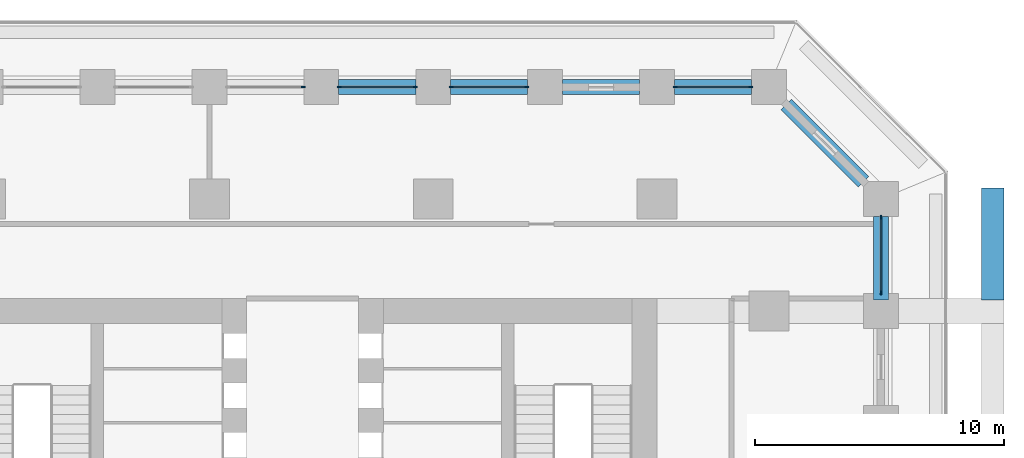
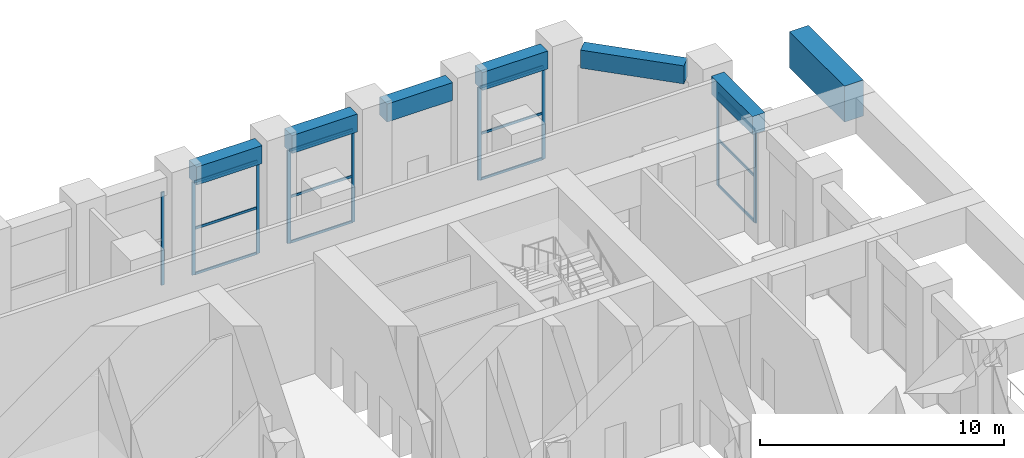
# One storey, part 9 of 21: 21 members, 7 beams, 5 elements without a shape of their own.
"""IFC4 building model written with IfcOpenShell, lengths in metres."""

import ifcopenshell
import ifcopenshell.guid

model = None  # the IFC model being written
_history = None  # IfcOwnerHistory: only IFC2X3 demands one
_inside = {}  # id of a spatial element -> (the spatial element, [elements in it])
_under = {}  # id of a project, library or spatial element -> (it, [spatial elements below it])
_declared = {}  # id of a project -> (the project, [libraries it declares])
_typed = {}  # id of a type object -> (the type object, [elements of that type])
_made_of = {}  # id of a material, layer set ... -> (it, [elements and type objects made of it])


def new_model(schema):
    """Start an empty IFC model of exactly this schema.

    Asked for "IFC4X3", IfcOpenShell would pick the latest addendum, in which some entities
    have other attributes; the version numbers below select the first issue.
    IFC2X3 requires an IfcOwnerHistory on every rooted entity: one is made here for all.
    """
    global model, _history
    if schema == "IFC4X3":
        model = ifcopenshell.file(schema_version=(4, 3, 0, 0))
    else:
        model = ifcopenshell.file(schema=schema)
    _inside.clear()
    _under.clear()
    _declared.clear()
    _typed.clear()
    _made_of.clear()
    _history = None
    if model.schema == "IFC2X3":
        org = make("IfcOrganization", Name="unknown")
        user = make(
            "IfcPersonAndOrganization",
            ThePerson=make("IfcPerson", FamilyName="unknown"),
            TheOrganization=org,
        )
        app = make(
            "IfcApplication",
            ApplicationDeveloper=org,
            Version="unknown",
            ApplicationFullName="unknown",
            ApplicationIdentifier="unknown",
        )
        _history = make(
            "IfcOwnerHistory",
            OwningUser=user,
            OwningApplication=app,
            ChangeAction="ADDED",
            CreationDate=0,
        )
    return model


def make(cls, **values):
    """One entity of the class cls with the attributes given. An attribute that is None is left unset."""
    return model.create_entity(
        cls, **{name: value for name, value in values.items() if value is not None}
    )


def rooted(cls, **values):
    """An entity with a GlobalId (a new one), such as an element, a storey or a relation."""
    return make(cls, GlobalId=ifcopenshell.guid.new(), OwnerHistory=_history, **values)


def si_unit(unit_type, name, prefix=None):
    """IfcSIUnit, for example si_unit("LENGTHUNIT", "METRE", prefix="MILLI")."""
    return make("IfcSIUnit", UnitType=unit_type, Prefix=prefix, Name=name)


def assignment(units):
    """IfcUnitAssignment: the units of a project."""
    return None if units is None else make("IfcUnitAssignment", Units=units)


def point(xyz):
    """IfcCartesianPoint."""
    return None if xyz is None else make("IfcCartesianPoint", Coordinates=xyz)


def direction(xyz):
    """IfcDirection."""
    return None if xyz is None else make("IfcDirection", DirectionRatios=xyz)


def frame(location, z_axis=None, x_axis=None):
    """IfcAxis2Placement3D, a coordinate frame: its origin and axes. An axis left out is left unset."""
    return make(
        "IfcAxis2Placement3D",
        Location=point(location),
        Axis=direction(z_axis),
        RefDirection=direction(x_axis),
    )


def frame_2d(location, x_axis=None):
    """IfcAxis2Placement2D, a coordinate frame in the plane: its origin and x axis."""
    return make(
        "IfcAxis2Placement2D", Location=point(location), RefDirection=direction(x_axis)
    )


def origin():
    """The frame at (0, 0, 0) with its axes left unset."""
    return frame((0.0, 0.0, 0.0))


def origin_2d():
    """The frame at (0, 0) in the plane with its x axis left unset."""
    return frame_2d((0.0, 0.0))


def place(relative_to, where):
    """IfcLocalPlacement: puts the frame where relative to a parent placement (None: the world)."""
    return make(
        "IfcLocalPlacement", PlacementRelTo=relative_to, RelativePlacement=where
    )


def context(
    kind, dimensions, precision=None, world=None, true_north=None, identifier=None
):
    """IfcGeometricRepresentationContext, for example the 3D "Model" context."""
    return make(
        "IfcGeometricRepresentationContext",
        ContextIdentifier=identifier,
        ContextType=kind,
        CoordinateSpaceDimension=dimensions,
        Precision=precision,
        WorldCoordinateSystem=world,
        TrueNorth=true_north,
    )


def subcontext(parent, identifier, kind, view, scale=None):
    """IfcGeometricRepresentationSubContext, for example "Body" below "Model"."""
    return make(
        "IfcGeometricRepresentationSubContext",
        ContextIdentifier=identifier,
        ContextType=kind,
        ParentContext=parent,
        TargetScale=scale,
        TargetView=view,
    )


def project(units=None, contexts=None):
    """IfcProject with its units and contexts."""
    return rooted(
        "IfcProject",
        Name="project",
        RepresentationContexts=contexts,
        UnitsInContext=assignment(units),
    )


def spatial(cls, under=None, at=None, **own):
    """A site, building, storey or space (cls), placed at a placement, below another one or the project."""
    s = rooted(cls, ObjectPlacement=at, **own)
    if under is not None:
        _under.setdefault(under.id(), (under, []))[1].append(s)
    return s


def profile(cls, at=None, kind="AREA", **sizes):
    """A parametric profile (cls). Its sizes go by their IFC names, for example OverallWidth=200.0."""
    return make(cls, ProfileType=kind, Position=at, **sizes)


def rectangle(**sizes):
    """IfcRectangleProfileDef."""
    return profile("IfcRectangleProfileDef", **sizes)


def extrude(swept, where, along, depth):
    """IfcExtrudedAreaSolid: the profile swept, set in the frame where, extruded along a direction by depth."""
    return make(
        "IfcExtrudedAreaSolid",
        SweptArea=swept,
        Position=where,
        ExtrudedDirection=direction(along),
        Depth=depth,
    )


def shape(context_of_items, identifier, shape_type, items):
    """IfcShapeRepresentation: the items that make up one representation, for example the "Body"."""
    return make(
        "IfcShapeRepresentation",
        ContextOfItems=context_of_items,
        RepresentationIdentifier=identifier,
        RepresentationType=shape_type,
        Items=items,
    )


def material(Name=None, Category=None):
    """IfcMaterial."""
    return make("IfcMaterial", Name=Name, Category=Category)


def material_profile(
    of_material, cross_section, Name=None, Category=None, Priority=None
):
    """IfcMaterialProfile: a cross section and its material."""
    return make(
        "IfcMaterialProfile",
        Name=Name,
        Material=of_material,
        Profile=cross_section,
        Priority=Priority,
        Category=Category,
    )


def profile_set(profiles, Name=None, composite=None):
    """IfcMaterialProfileSet."""
    return make(
        "IfcMaterialProfileSet",
        Name=Name,
        MaterialProfiles=profiles,
        CompositeProfile=composite,
    )


def made_of(thing, what):
    """Note that an element or type object is made of a material, layer set ...; save() writes the relation."""
    if what is not None:
        _made_of.setdefault(what.id(), (what, []))[1].append(thing)
    return thing


def type_object(cls, material=None, **own):
    """A type object (cls), such as IfcWallType, which elements share."""
    return made_of(rooted(cls, **own), material)


def element(
    cls,
    number,
    at=None,
    inside=None,
    cuts=None,
    type_object=None,
    material=None,
    context=None,
    identifier="Body",
    shape_type=None,
    held_by="IfcProductDefinitionShape",
    body=None,
    shapes=None,
    **own,
):
    """One element of the class cls, such as IfcWall. Its Tag is "e" and its number.

    at: its placement. inside: the storey or other place that contains it. cuts: it is an
    opening in that element (IfcRelVoidsElement). A single representation is given by context,
    identifier, shape_type and body (its items); several are given by shapes. held_by: the class
    of the entity that holds the representations. save() writes the other relations.
    """
    e = rooted(cls, Tag="e%d" % number, ObjectPlacement=at, **own)
    if body is not None:
        shapes = [shape(context, identifier, shape_type, body)]
    if shapes is not None:
        e.Representation = make(held_by, Representations=shapes)
    if inside is not None:
        _inside.setdefault(inside.id(), (inside, []))[1].append(e)
    if cuts is not None:
        rooted(
            "IfcRelVoidsElement", RelatingBuildingElement=cuts, RelatedOpeningElement=e
        )
    if type_object is not None:
        _typed.setdefault(type_object.id(), (type_object, []))[1].append(e)
    return made_of(e, material)


def aggregate(whole, parts):
    """IfcRelAggregates: a whole, such as a stair, and the parts it consists of."""
    return rooted("IfcRelAggregates", RelatingObject=whole, RelatedObjects=parts)


def save(model, path):
    """Write the relations noted so far, then the file.

    IfcRelAggregates (storeys below a building ...), IfcRelContainedInSpatialStructure (elements
    in a storey), IfcRelDefinesByType, IfcRelAssociatesMaterial and IfcRelDeclares: one each for
    every whole, place, type object, material and project.
    """
    for whole, parts in _under.values():
        aggregate(whole, parts)
    for where, things in _inside.values():
        rooted(
            "IfcRelContainedInSpatialStructure",
            RelatedElements=things,
            RelatingStructure=where,
        )
    for kind, things in _typed.values():
        rooted("IfcRelDefinesByType", RelatedObjects=things, RelatingType=kind)
    for what, things in _made_of.values():
        rooted("IfcRelAssociatesMaterial", RelatedObjects=things, RelatingMaterial=what)
    for by, libraries in _declared.values():
        rooted("IfcRelDeclares", RelatingContext=by, RelatedDefinitions=libraries)
    model.write(path)


model = new_model("IFC4")

# Units and contexts
model_context = context("Model", 3, precision=1e-05, world=origin(), true_north=direction((0.0, 1.0)))
body_context = subcontext(model_context, "Body", "Model", "MODEL_VIEW")
ifc_project = project(units=[si_unit("LENGTHUNIT", "METRE"), si_unit("AREAUNIT", "SQUARE_METRE"), si_unit("VOLUMEUNIT", "CUBIC_METRE"), si_unit("PLANEANGLEUNIT", "RADIAN"), si_unit("MASSUNIT", "GRAM", prefix="KILO")], contexts=[model_context])

# Site, building, storey
site_placement = place(None, origin())
site = spatial("IfcSite", under=ifc_project, at=site_placement, CompositionType="ELEMENT")
building_placement = place(site_placement, origin())
building = spatial("IfcBuilding", under=site, at=building_placement, Name="Corbel Stack Research Tower", CompositionType="ELEMENT")
storey_placement = place(building_placement, frame((0.0, 0.0, 35.89990234375)))
storey = spatial("IfcBuildingStorey", under=building, at=storey_placement, Name="L08", CompositionType="ELEMENT", Elevation=35.89990234375)

# Curtain wall, members
ifc_material_1 = material(Name="Aluminium frame, clear glass", Category="aluminium")
curtain_wall_type = type_object("IfcCurtainWallType", Name="Amenity floor curtain wall CW2", PredefinedType="NOTDEFINED", material=ifc_material_1)
curtain_wall_1_placement = place(storey_placement, origin())
curtain_wall_1 = element("IfcCurtainWall", 1, at=curtain_wall_1_placement, inside=storey, type_object=curtain_wall_type, Name="Curtain wall CW2 L08 E10", PredefinedType="NOTDEFINED")
ifc_material_2 = material(Name="Aluminium mullion", Category="aluminium")
ifc_material_profile_1 = material_profile(ifc_material_2, rectangle(XDim=0.06005859375, YDim=0.159912109375, at=origin_2d()), Name="Mullion 60 x 160")
ifc_profile_set_1 = profile_set([ifc_material_profile_1], Name="Aluminium mullion")
member_type_1 = type_object("IfcMemberType", Name="Curtain wall mullion 60 x 160", PredefinedType="MULLION", material=ifc_profile_set_1)
member_1_placement = place(storey_placement, frame((27.0, 18.72998046875, 0.0), z_axis=(0.0, 0.0, 1.0), x_axis=(-1.0, 0.0, 0.0)))
member_1 = element("IfcMember", 2, at=member_1_placement, type_object=member_type_1, Name="CW2 L08 E10 mullion 1", PredefinedType="MULLION", context=body_context, shape_type="SweptSolid", body=[
    extrude(rectangle(XDim=0.06005859375, YDim=0.159912109375, at=origin_2d()), origin(), (0.0, 0.0, 1.0), 4.650146484375),
])
member_2_placement = place(storey_placement, frame((27.0, 21.77001953125, 0.0), z_axis=(0.0, 0.0, 1.0), x_axis=(-1.0, 0.0, 0.0)))
member_2 = element("IfcMember", 3, at=member_2_placement, type_object=member_type_1, Name="CW2 L08 E10 mullion 2", PredefinedType="MULLION", context=body_context, shape_type="SweptSolid", body=[
    extrude(rectangle(XDim=0.06005859375, YDim=0.159912109375, at=origin_2d()), origin(), (0.0, 0.0, 1.0), 4.650146484375),
])

curtain_wall_2_placement = place(storey_placement, origin())
curtain_wall_2 = element("IfcCurtainWall", 4, at=curtain_wall_2_placement, inside=storey, type_object=curtain_wall_type, Name="Curtain wall CW2 L08 N01", PredefinedType="NOTDEFINED")
member_3_placement = place(storey_placement, frame((21.77001953125, 27.0, 0.0), z_axis=(0.0, 0.0, 1.0), x_axis=(0.0, -1.0, 0.0)))
member_3 = element("IfcMember", 5, at=member_3_placement, type_object=member_type_1, Name="CW2 L08 N01 mullion 1", PredefinedType="MULLION", context=body_context, shape_type="SweptSolid", body=[
    extrude(rectangle(XDim=0.06005859375, YDim=0.159912109375, at=origin_2d()), origin(), (0.0, 0.0, 1.0), 4.650146484375),
])
member_4_placement = place(storey_placement, frame((18.72998046875, 27.0, 0.0), z_axis=(0.0, 0.0, 1.0), x_axis=(0.0, -1.0, 0.0)))
member_4 = element("IfcMember", 6, at=member_4_placement, type_object=member_type_1, Name="CW2 L08 N01 mullion 2", PredefinedType="MULLION", context=body_context, shape_type="SweptSolid", body=[
    extrude(rectangle(XDim=0.06005859375, YDim=0.159912109375, at=origin_2d()), origin(), (0.0, 0.0, 1.0), 4.650146484375),
])

curtain_wall_3_placement = place(storey_placement, origin())
curtain_wall_3 = element("IfcCurtainWall", 7, at=curtain_wall_3_placement, inside=storey, type_object=curtain_wall_type, Name="Curtain wall CW2 L08 N03", PredefinedType="NOTDEFINED")
member_5_placement = place(storey_placement, frame((12.77001953125, 27.0, 0.0), z_axis=(0.0, 0.0, 1.0), x_axis=(0.0, -1.0, 0.0)))
member_5 = element("IfcMember", 8, at=member_5_placement, type_object=member_type_1, Name="CW2 L08 N03 mullion 1", PredefinedType="MULLION", context=body_context, shape_type="SweptSolid", body=[
    extrude(rectangle(XDim=0.06005859375, YDim=0.159912109375, at=origin_2d()), origin(), (0.0, 0.0, 1.0), 4.650146484375),
])
member_6_placement = place(storey_placement, frame((9.72998046875, 27.0, 0.0), z_axis=(0.0, 0.0, 1.0), x_axis=(0.0, -1.0, 0.0)))
member_6 = element("IfcMember", 9, at=member_6_placement, type_object=member_type_1, Name="CW2 L08 N03 mullion 2", PredefinedType="MULLION", context=body_context, shape_type="SweptSolid", body=[
    extrude(rectangle(XDim=0.06005859375, YDim=0.159912109375, at=origin_2d()), origin(), (0.0, 0.0, 1.0), 4.650146484375),
])

curtain_wall_4_placement = place(storey_placement, origin())
curtain_wall_4 = element("IfcCurtainWall", 10, at=curtain_wall_4_placement, inside=storey, type_object=curtain_wall_type, Name="Curtain wall CW2 L08 N04", PredefinedType="NOTDEFINED")
member_7_placement = place(storey_placement, frame((8.27001953125, 27.0, 0.0), z_axis=(0.0, 0.0, 1.0), x_axis=(0.0, -1.0, 0.0)))
member_7 = element("IfcMember", 11, at=member_7_placement, type_object=member_type_1, Name="CW2 L08 N04 mullion 1", PredefinedType="MULLION", context=body_context, shape_type="SweptSolid", body=[
    extrude(rectangle(XDim=0.06005859375, YDim=0.159912109375, at=origin_2d()), origin(), (0.0, 0.0, 1.0), 4.650146484375),
])
member_8_placement = place(storey_placement, frame((5.22998046875, 27.0, 0.0), z_axis=(0.0, 0.0, 1.0), x_axis=(0.0, -1.0, 0.0)))
member_8 = element("IfcMember", 12, at=member_8_placement, type_object=member_type_1, Name="CW2 L08 N04 mullion 2", PredefinedType="MULLION", context=body_context, shape_type="SweptSolid", body=[
    extrude(rectangle(XDim=0.06005859375, YDim=0.159912109375, at=origin_2d()), origin(), (0.0, 0.0, 1.0), 4.650146484375),
])

# Curtain wall, member
curtain_wall_5_placement = place(storey_placement, origin())
curtain_wall_5 = element("IfcCurtainWall", 13, at=curtain_wall_5_placement, inside=storey, type_object=curtain_wall_type, Name="Curtain wall CW2 L08 N05", PredefinedType="NOTDEFINED")
member_9_placement = place(storey_placement, frame((3.77001953125, 27.0, 0.0), z_axis=(0.0, 0.0, 1.0), x_axis=(0.0, -1.0, 0.0)))
member_9 = element("IfcMember", 14, at=member_9_placement, type_object=member_type_1, Name="CW2 L08 N05 mullion 1", PredefinedType="MULLION", context=body_context, shape_type="SweptSolid", body=[
    extrude(rectangle(XDim=0.06005859375, YDim=0.159912109375, at=origin_2d()), origin(), (0.0, 0.0, 1.0), 4.650146484375),
])
aggregate(curtain_wall_5, [member_9])

# Member
ifc_material_3 = material(Name="Aluminium transom", Category="aluminium")
ifc_material_profile_2 = material_profile(ifc_material_3, rectangle(XDim=0.06005859375, YDim=0.1201171875, at=origin_2d()), Name="Transom 60 x 120")
ifc_profile_set_2 = profile_set([ifc_material_profile_2], Name="Aluminium transom")
member_type_2 = type_object("IfcMemberType", Name="Curtain wall transom 60 x 120", PredefinedType="USERDEFINED", material=ifc_profile_set_2)
member_10_placement = place(storey_placement, frame((27.0, 18.760009765625, 0.030029296875), z_axis=(0.0, 1.0, 0.0), x_axis=(-1.0, 0.0, 0.0)))
member_10 = element("IfcMember", 15, at=member_10_placement, type_object=member_type_2, Name="CW2 L08 E10 transom 1.1", ObjectType="TRANSOM", PredefinedType="USERDEFINED", context=body_context, shape_type="SweptSolid", body=[
    extrude(rectangle(XDim=0.06005859375, YDim=0.1201171875, at=origin_2d()), origin(), (0.0, 0.0, 1.0), 2.97998046875),
])

member_11_placement = place(storey_placement, frame((27.0, 18.760009765625, 2.300048828125), z_axis=(0.0, 1.0, 0.0), x_axis=(-1.0, 0.0, 0.0)))
member_11 = element("IfcMember", 16, at=member_11_placement, type_object=member_type_2, Name="CW2 L08 E10 transom 1.2", ObjectType="TRANSOM", PredefinedType="USERDEFINED", context=body_context, shape_type="SweptSolid", body=[
    extrude(rectangle(XDim=0.06005859375, YDim=0.1201171875, at=origin_2d()), origin(), (0.0, 0.0, 1.0), 2.97998046875),
])

member_12_placement = place(storey_placement, frame((27.0, 18.760009765625, 4.6201171875), z_axis=(0.0, 1.0, 0.0), x_axis=(-1.0, 0.0, 0.0)))
member_12 = element("IfcMember", 17, at=member_12_placement, type_object=member_type_2, Name="CW2 L08 E10 transom 1.3", ObjectType="TRANSOM", PredefinedType="USERDEFINED", context=body_context, shape_type="SweptSolid", body=[
    extrude(rectangle(XDim=0.06005859375, YDim=0.1201171875, at=origin_2d()), origin(), (0.0, 0.0, 1.0), 2.97998046875),
])

aggregate(curtain_wall_1, [member_1, member_2, member_10, member_11, member_12])

member_13_placement = place(storey_placement, frame((21.739990234375, 27.0, 0.030029296875), z_axis=(-1.0, 0.0, 0.0), x_axis=(0.0, -1.0, 0.0)))
member_13 = element("IfcMember", 18, at=member_13_placement, type_object=member_type_2, Name="CW2 L08 N01 transom 1.1", ObjectType="TRANSOM", PredefinedType="USERDEFINED", context=body_context, shape_type="SweptSolid", body=[
    extrude(rectangle(XDim=0.06005859375, YDim=0.1201171875, at=origin_2d()), origin(), (0.0, 0.0, 1.0), 2.97998046875),
])

member_14_placement = place(storey_placement, frame((21.739990234375, 27.0, 2.300048828125), z_axis=(-1.0, 0.0, 0.0), x_axis=(0.0, -1.0, 0.0)))
member_14 = element("IfcMember", 19, at=member_14_placement, type_object=member_type_2, Name="CW2 L08 N01 transom 1.2", ObjectType="TRANSOM", PredefinedType="USERDEFINED", context=body_context, shape_type="SweptSolid", body=[
    extrude(rectangle(XDim=0.06005859375, YDim=0.1201171875, at=origin_2d()), origin(), (0.0, 0.0, 1.0), 2.97998046875),
])

member_15_placement = place(storey_placement, frame((21.739990234375, 27.0, 4.6201171875), z_axis=(-1.0, 0.0, 0.0), x_axis=(0.0, -1.0, 0.0)))
member_15 = element("IfcMember", 20, at=member_15_placement, type_object=member_type_2, Name="CW2 L08 N01 transom 1.3", ObjectType="TRANSOM", PredefinedType="USERDEFINED", context=body_context, shape_type="SweptSolid", body=[
    extrude(rectangle(XDim=0.06005859375, YDim=0.1201171875, at=origin_2d()), origin(), (0.0, 0.0, 1.0), 2.97998046875),
])

aggregate(curtain_wall_2, [member_3, member_4, member_13, member_14, member_15])

member_16_placement = place(storey_placement, frame((12.739990234375, 27.0, 0.030029296875), z_axis=(-1.0, 0.0, 0.0), x_axis=(0.0, -1.0, 0.0)))
member_16 = element("IfcMember", 21, at=member_16_placement, type_object=member_type_2, Name="CW2 L08 N03 transom 1.1", ObjectType="TRANSOM", PredefinedType="USERDEFINED", context=body_context, shape_type="SweptSolid", body=[
    extrude(rectangle(XDim=0.06005859375, YDim=0.1201171875, at=origin_2d()), origin(), (0.0, 0.0, 1.0), 2.97998046875),
])

member_17_placement = place(storey_placement, frame((12.739990234375, 27.0, 2.300048828125), z_axis=(-1.0, 0.0, 0.0), x_axis=(0.0, -1.0, 0.0)))
member_17 = element("IfcMember", 22, at=member_17_placement, type_object=member_type_2, Name="CW2 L08 N03 transom 1.2", ObjectType="TRANSOM", PredefinedType="USERDEFINED", context=body_context, shape_type="SweptSolid", body=[
    extrude(rectangle(XDim=0.06005859375, YDim=0.1201171875, at=origin_2d()), origin(), (0.0, 0.0, 1.0), 2.97998046875),
])

member_18_placement = place(storey_placement, frame((12.739990234375, 27.0, 4.6201171875), z_axis=(-1.0, 0.0, 0.0), x_axis=(0.0, -1.0, 0.0)))
member_18 = element("IfcMember", 23, at=member_18_placement, type_object=member_type_2, Name="CW2 L08 N03 transom 1.3", ObjectType="TRANSOM", PredefinedType="USERDEFINED", context=body_context, shape_type="SweptSolid", body=[
    extrude(rectangle(XDim=0.06005859375, YDim=0.1201171875, at=origin_2d()), origin(), (0.0, 0.0, 1.0), 2.97998046875),
])

aggregate(curtain_wall_3, [member_5, member_6, member_16, member_17, member_18])

member_19_placement = place(storey_placement, frame((8.239990234375, 27.0, 0.030029296875), z_axis=(-1.0, 0.0, 0.0), x_axis=(0.0, -1.0, 0.0)))
member_19 = element("IfcMember", 24, at=member_19_placement, type_object=member_type_2, Name="CW2 L08 N04 transom 1.1", ObjectType="TRANSOM", PredefinedType="USERDEFINED", context=body_context, shape_type="SweptSolid", body=[
    extrude(rectangle(XDim=0.06005859375, YDim=0.1201171875, at=origin_2d()), origin(), (0.0, 0.0, 1.0), 2.97998046875),
])

member_20_placement = place(storey_placement, frame((8.239990234375, 27.0, 2.300048828125), z_axis=(-1.0, 0.0, 0.0), x_axis=(0.0, -1.0, 0.0)))
member_20 = element("IfcMember", 25, at=member_20_placement, type_object=member_type_2, Name="CW2 L08 N04 transom 1.2", ObjectType="TRANSOM", PredefinedType="USERDEFINED", context=body_context, shape_type="SweptSolid", body=[
    extrude(rectangle(XDim=0.06005859375, YDim=0.1201171875, at=origin_2d()), origin(), (0.0, 0.0, 1.0), 2.97998046875),
])

member_21_placement = place(storey_placement, frame((8.239990234375, 27.0, 4.6201171875), z_axis=(-1.0, 0.0, 0.0), x_axis=(0.0, -1.0, 0.0)))
member_21 = element("IfcMember", 26, at=member_21_placement, type_object=member_type_2, Name="CW2 L08 N04 transom 1.3", ObjectType="TRANSOM", PredefinedType="USERDEFINED", context=body_context, shape_type="SweptSolid", body=[
    extrude(rectangle(XDim=0.06005859375, YDim=0.1201171875, at=origin_2d()), origin(), (0.0, 0.0, 1.0), 2.97998046875),
])

aggregate(curtain_wall_4, [member_7, member_8, member_19, member_20, member_21])

# Beams
ifc_material_4 = material(Name="Concrete C60/75", Category="concrete")
ifc_material_profile_3 = material_profile(ifc_material_4, rectangle(XDim=0.60009765625, YDim=0.89990234375, at=origin_2d()), Name="RC 600 x 900")
ifc_profile_set_3 = profile_set([ifc_material_profile_3], Name="Concrete C60/75")
beam_type_1 = type_object("IfcBeamType", Name="SB-600-900-450", PredefinedType="SPANDREL", material=ifc_profile_set_3)
beam_1_placement = place(storey_placement, frame((27.0, 18.449951171875, 5.10009765625), z_axis=(0.0, 1.0, 0.0), x_axis=(-1.0, 0.0, 0.0)))
element("IfcBeam", 27, at=beam_1_placement, inside=storey, type_object=beam_type_1, Name="Spandrel beam L08-21", PredefinedType="SPANDREL", context=body_context, shape_type="SweptSolid", body=[
    extrude(rectangle(XDim=0.60009765625, YDim=0.89990234375, at=origin_2d()), origin(), (0.0, 0.0, 1.0), 3.35009765625),
])
beam_2_placement = place(storey_placement, frame((26.300048828125, 23.199951171875, 5.10009765625), z_axis=(-0.707106781187, 0.707106781187, 0.0), x_axis=(-0.707106781187, -0.707106781187, 0.0)))
element("IfcBeam", 28, at=beam_2_placement, inside=storey, type_object=beam_type_1, Name="Spandrel beam L08-22", PredefinedType="SPANDREL", context=body_context, shape_type="SweptSolid", body=[
    extrude(rectangle(XDim=0.60009765625, YDim=0.89990234375, at=origin_2d()), origin(), (0.0, 0.0, 1.0), 4.38427734375),
])
for number, where, z_axis, x_axis, name in (
    (29, (21.800048828125, 27.0, 5.10009765625), (-1.0, 0.0, 0.0), (0.0, -1.0, 0.0), "Spandrel beam L08-23"),
    (30, (17.300048828125, 27.0, 5.10009765625), (-1.0, 0.0, 0.0), (0.0, -1.0, 0.0), "Spandrel beam L08-24"),
    (31, (12.800048828125, 27.0, 5.10009765625), (-1.0, 0.0, 0.0), (0.0, -1.0, 0.0), "Spandrel beam L08-25"),
    (32, (8.300048828125, 27.0, 5.10009765625), (-1.0, 0.0, 0.0), (0.0, -1.0, 0.0), "Spandrel beam L08-26"),
):
    element("IfcBeam", number, at=place(storey_placement, frame(where, z_axis=z_axis, x_axis=x_axis)), inside=storey, type_object=beam_type_1, Name=name, PredefinedType="SPANDREL", context=body_context, shape_type="SweptSolid", body=[
        extrude(rectangle(XDim=0.60009765625, YDim=0.89990234375, at=origin_2d()), origin(), (0.0, 0.0, 1.0), 3.10009765625),
    ])
ifc_material_5 = material(Name="Concrete C60/75", Category="concrete")
ifc_material_profile_4 = material_profile(ifc_material_5, rectangle(XDim=0.89990234375, YDim=1.800048828125, at=origin_2d()), Name="RC 900 x 1800")
ifc_profile_set_4 = profile_set([ifc_material_profile_4], Name="Concrete C60/75")
beam_type_2 = type_object("IfcBeamType", Name="TG-900-1800", PredefinedType="BEAM", material=ifc_profile_set_4)
beam_3_placement = place(storey_placement, frame((31.5, 18.449951171875, 4.650146484375), z_axis=(0.0, 1.0, 0.0), x_axis=(-1.0, 0.0, 0.0)))
element("IfcBeam", 33, at=beam_3_placement, inside=storey, type_object=beam_type_2, Name="Transfer edge beam L08 Eehi", PredefinedType="BEAM", context=body_context, shape_type="SweptSolid", body=[
    extrude(rectangle(XDim=0.89990234375, YDim=1.800048828125, at=origin_2d()), origin(), (0.0, 0.0, 1.0), 4.5),
])

save(model, "model.ifc")
